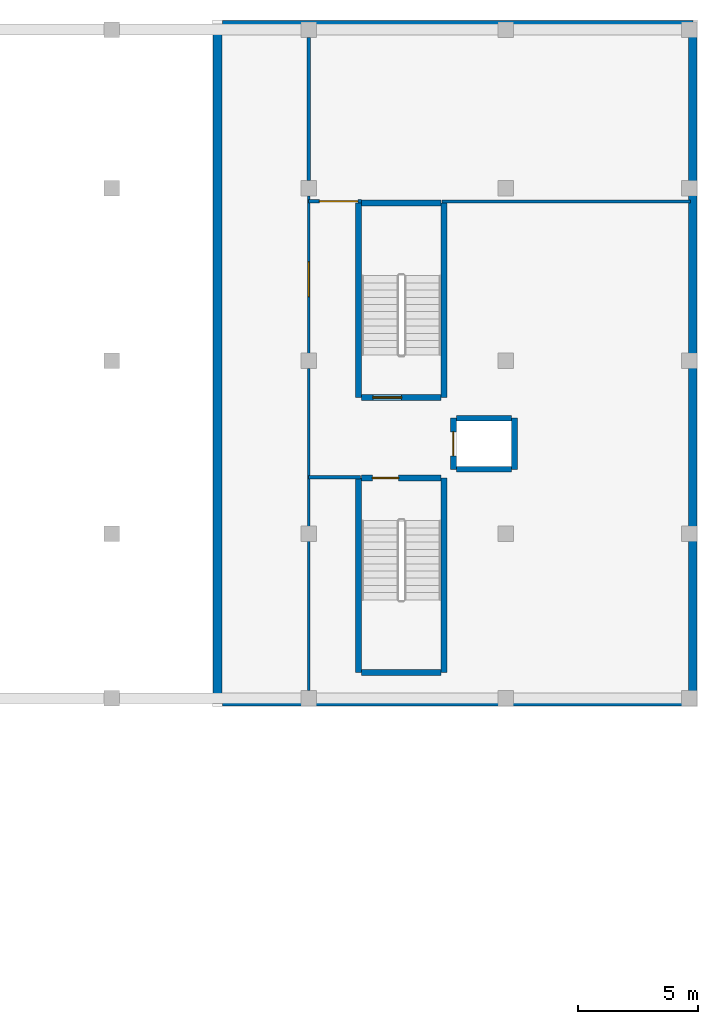
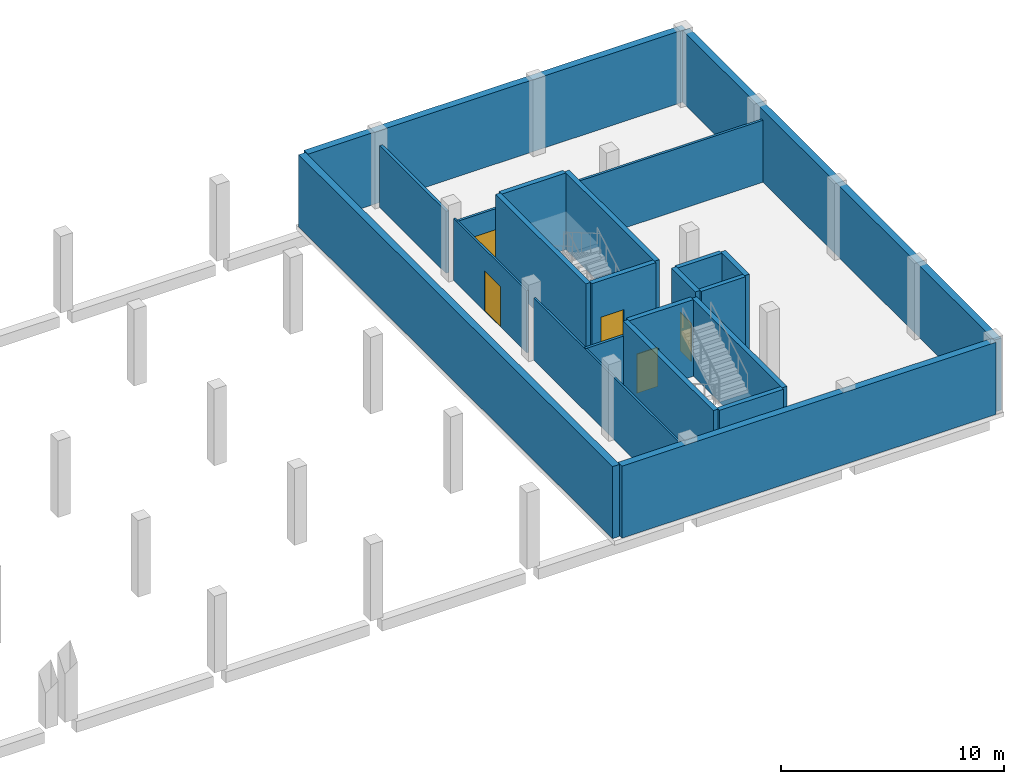
# One storey, part 9 of 15: 22 walls, 5 doors, 5 openings.
"""IFC4 building model written with IfcOpenShell, lengths in metres."""

from ifc_helpers import new_model, si_unit, direction, frame, frame_2d, origin, place, context, subcontext, project, spatial, rectangle, extrude, material, layer, layer_set, type_object, element, fill, save


model = new_model("IFC4")

# Units and contexts
model_context = context("Model", 3, precision=1e-05, world=origin(), true_north=direction((0.0, 1.0)))
body_context = subcontext(model_context, "Body", "Model", "MODEL_VIEW")
ifc_project = project(units=[si_unit("LENGTHUNIT", "METRE"), si_unit("AREAUNIT", "SQUARE_METRE"), si_unit("VOLUMEUNIT", "CUBIC_METRE"), si_unit("PLANEANGLEUNIT", "RADIAN"), si_unit("MASSUNIT", "GRAM", prefix="KILO")], contexts=[model_context])

# Site, building, storey
site_placement = place(None, origin())
site = spatial("IfcSite", under=ifc_project, at=site_placement, CompositionType="ELEMENT")
building_placement = place(site_placement, origin())
building = spatial("IfcBuilding", under=site, at=building_placement, Name="Quillay Park Conservatory", CompositionType="ELEMENT")
storey_placement = place(building_placement, frame((0.0, 0.0, -4.199951171875)))
storey = spatial("IfcBuildingStorey", under=building, at=storey_placement, Name="B1", CompositionType="ELEMENT", Elevation=-4.199951171875)

# Wall, opening, door
ifc_material_1 = material(Name="Steel-Stud Acoustic Gypsum Board Partition", Category="steel")
ifc_layer_1 = layer(ifc_material_1, 0.10009765625)
ifc_layer_set_1 = layer_set([ifc_layer_1], Name="ACOUSTIC GYPSUM PARTITION 100 (Steel-Stud Acoustic Gypsum Board Partition)")
wall_type_1 = type_object("IfcWallType", Name="ACOUSTIC GYPSUM PARTITION 100", PredefinedType="PARTITIONING", material=ifc_layer_set_1)
wall_1_placement = place(storey_placement, frame((148.0, 99.919921875, 0.0), z_axis=(0.0, 0.0, 1.0), x_axis=(0.0, 1.0, 0.0)))
wall_1 = element("IfcWall", 1, at=wall_1_placement, inside=storey, type_object=wall_type_1, Name="B1 Aud Sub West Wall M", PredefinedType="PARTITIONING", context=body_context, shape_type="SweptSolid", body=[
    extrude(rectangle(XDim=6.56005859375, YDim=0.10009765625, at=frame_2d((3.280029296875, 0.0))), origin(), (0.0, 0.0, 1.0), 3.40087890625),
])
opening_1_placement = place(wall_1_placement, frame((2.35498046875, 0.0, 0.0)))
opening_1 = element("IfcOpeningElement", 2, at=opening_1_placement, cuts=wall_1, Name="Opening D-PL01", PredefinedType="OPENING", context=body_context, shape_type="SweptSolid", body=[
    extrude(rectangle(XDim=1.449951171875, YDim=2.199951171875, at=frame_2d((0.72509765625, 1.10009765625))), frame((0.0, 0.050048828125, 0.0), z_axis=(0.0, -1.0, 0.0), x_axis=(1.0, 0.0, 0.0)), (0.0, 0.0, 1.0), 0.10009765625),
])
ifc_material_2 = material(Name="Steel ASTM A572 Grade 50", Category="steel")
door_type_1 = type_object("IfcDoorType", Name="FIRE RATED PLANT DOOR 1450 X2200", OperationType="NOTDEFINED", PredefinedType="DOOR", material=ifc_material_2)
door_1_placement = place(opening_1_placement, origin())
door_1 = element("IfcDoor", 3, at=door_1_placement, inside=storey, type_object=door_type_1, Name="B1 Door to B1 Exhibition Crate and Herbarium Receiving Store", OperationType="SINGLE_SWING_LEFT", OverallHeight=2.199951171875, OverallWidth=1.449951171875, PredefinedType="DOOR", context=body_context, shape_type="SweptSolid", body=[
    extrude(rectangle(XDim=1.449951171875, YDim=2.199951171875, at=frame_2d((0.72509765625, 1.10009765625))), frame((0.0, 0.02490234375, 0.0), z_axis=(0.0, -1.0, 0.0), x_axis=(1.0, 0.0, 0.0)), (0.0, 0.0, 1.0), 0.050048828125),
])
fill(opening_1, door_1)

# Walls
ifc_material_3 = material(Name="Steel-Stud Acoustic Gypsum Board Partition", Category="steel")
ifc_layer_2 = layer(ifc_material_3, 0.10498046875)
ifc_layer_set_2 = layer_set([ifc_layer_2], Name="ACOUSTIC GYPSUM PARTITION 105 (Steel-Stud Acoustic Gypsum Board Partition)")
wall_type_2 = type_object("IfcWallType", Name="ACOUSTIC GYPSUM PARTITION 105", PredefinedType="PARTITIONING", material=ifc_layer_set_2)
wall_2_placement = place(storey_placement, frame((148.0, 85.8701171875, 0.0), z_axis=(0.0, 0.0, 1.0), x_axis=(0.0, 1.0, 0.0)))
element("IfcWall", 4, at=wall_2_placement, inside=storey, type_object=wall_type_2, Name="B1 Aud Sub West Wall S", PredefinedType="PARTITIONING", context=body_context, shape_type="SweptSolid", body=[
    extrude(rectangle(XDim=13.409912109375, YDim=0.10498046875, at=frame_2d((6.705078125, 0.0))), origin(), (0.0, 0.0, 1.0), 3.40087890625),
])
ifc_material_4 = material(Name="Steel-Stud Acoustic Gypsum Board Partition", Category="steel")
ifc_layer_3 = layer(ifc_material_4, 0.125)
ifc_layer_set_3 = layer_set([ifc_layer_3], Name="ACOUSTIC GYPSUM PARTITION 125 (Steel-Stud Acoustic Gypsum Board Partition)")
wall_type_3 = type_object("IfcWallType", Name="ACOUSTIC GYPSUM PARTITION 125", PredefinedType="PARTITIONING", material=ifc_layer_set_3)
wall_3_placement = place(storey_placement, frame((153.550048828125, 106.25, 0.0), z_axis=(0.0, 0.0, 1.0), x_axis=(1.0, 0.0, 0.0)))
element("IfcWall", 5, at=wall_3_placement, inside=storey, type_object=wall_type_3, Name="B1 Aud Sub North Room Wall E", PredefinedType="PARTITIONING", context=body_context, shape_type="SweptSolid", body=[
    extrude(rectangle(XDim=10.349853515625, YDim=0.125, at=frame_2d((5.1748046875, 0.0))), origin(), (0.0, 0.0, 1.0), 3.40087890625),
])

# Wall, opening, door
ifc_material_5 = material(Name="Steel-Stud Acoustic Gypsum Board Partition", Category="steel")
ifc_layer_4 = layer(ifc_material_5, 0.1298828125)
ifc_layer_set_4 = layer_set([ifc_layer_4], Name="ACOUSTIC GYPSUM PARTITION 130 (Steel-Stud Acoustic Gypsum Board Partition)")
wall_type_4 = type_object("IfcWallType", Name="ACOUSTIC GYPSUM PARTITION 130", PredefinedType="PARTITIONING", material=ifc_layer_set_4)
wall_4_placement = place(storey_placement, frame((148.0, 106.25, 0.0), z_axis=(0.0, 0.0, 1.0), x_axis=(1.0, 0.0, 0.0)))
wall_4 = element("IfcWall", 6, at=wall_4_placement, inside=storey, type_object=wall_type_4, Name="B1 Aud Sub North Room Door Wall", PredefinedType="PARTITIONING", context=body_context, shape_type="SweptSolid", body=[
    extrude(rectangle(XDim=2.199951171875, YDim=0.1298828125, at=frame_2d((1.10009765625, 0.0))), origin(), (0.0, 0.0, 1.0), 3.40087890625),
])
opening_2_placement = place(wall_4_placement, frame((0.449951171875, 0.0, 0.0)))
opening_2 = element("IfcOpeningElement", 7, at=opening_2_placement, cuts=wall_4, Name="Opening D-PL02", PredefinedType="OPENING", context=body_context, shape_type="SweptSolid", body=[
    extrude(rectangle(XDim=1.60009765625, YDim=2.25, at=frame_2d((0.800048828125, 1.125))), frame((0.0, 0.06494140625, 0.0), z_axis=(0.0, -1.0, 0.0), x_axis=(1.0, 0.0, 0.0)), (0.0, 0.0, 1.0), 0.1298828125),
])
ifc_material_6 = material(Name="Steel ASTM A572 Grade 50", Category="steel")
door_type_2 = type_object("IfcDoorType", Name="FIRE RATED PLANT DOOR 1600 X2250", OperationType="NOTDEFINED", PredefinedType="DOOR", material=ifc_material_6)
door_2_placement = place(opening_2_placement, origin())
door_2 = element("IfcDoor", 8, at=door_2_placement, inside=storey, type_object=door_type_2, Name="B1 Door to B1 Exhibition Scenography and Model Workshop", OperationType="SINGLE_SWING_RIGHT", OverallHeight=2.25, OverallWidth=1.60009765625, PredefinedType="DOOR", context=body_context, shape_type="SweptSolid", body=[
    extrude(rectangle(XDim=1.60009765625, YDim=2.25, at=frame_2d((0.800048828125, 1.125))), frame((0.0, 0.02490234375, 0.0), z_axis=(0.0, -1.0, 0.0), x_axis=(1.0, 0.0, 0.0)), (0.0, 0.0, 1.0), 0.050048828125),
])
fill(opening_2, door_2)

# Walls
ifc_material_7 = material(Name="Steel-Stud Acoustic Gypsum Board Partition", Category="steel")
ifc_layer_5 = layer(ifc_material_7, 0.139892578125)
ifc_layer_set_5 = layer_set([ifc_layer_5], Name="ACOUSTIC GYPSUM PARTITION 140 (Steel-Stud Acoustic Gypsum Board Partition)")
wall_type_5 = type_object("IfcWallType", Name="ACOUSTIC GYPSUM PARTITION 140", PredefinedType="PARTITIONING", material=ifc_layer_set_5)
wall_5_placement = place(storey_placement, frame((148.0, 94.75, 0.0), z_axis=(0.0, 0.0, 1.0), x_axis=(1.0, 0.0, 0.0)))
element("IfcWall", 9, at=wall_5_placement, inside=storey, type_object=wall_type_5, Name="B1 Aud Sub Corr South Closure", PredefinedType="PARTITIONING", context=body_context, shape_type="SweptSolid", body=[
    extrude(rectangle(XDim=2.14990234375, YDim=0.139892578125, at=frame_2d((1.074951171875, 0.0))), origin(), (0.0, 0.0, 1.0), 3.40087890625),
])
ifc_material_8 = material(Name="Steel-Stud Acoustic Gypsum Board Partition", Category="steel")
ifc_layer_6 = layer(ifc_material_8, 0.14990234375)
ifc_layer_set_6 = layer_set([ifc_layer_6], Name="ACOUSTIC GYPSUM PARTITION 150 (Steel-Stud Acoustic Gypsum Board Partition)")
wall_type_6 = type_object("IfcWallType", Name="ACOUSTIC GYPSUM PARTITION 150", PredefinedType="PARTITIONING", material=ifc_layer_set_6)
wall_6_placement = place(storey_placement, frame((148.0, 107.1201171875, 0.0), z_axis=(0.0, 0.0, 1.0), x_axis=(0.0, 1.0, 0.0)))
element("IfcWall", 10, at=wall_6_placement, inside=storey, type_object=wall_type_6, Name="B1 Aud Sub West Wall N", PredefinedType="PARTITIONING", context=body_context, shape_type="SweptSolid", body=[
    extrude(rectangle(XDim=5.9599609375, YDim=0.14990234375, at=frame_2d((2.97998046875, 0.0))), origin(), (0.0, 0.0, 1.0), 3.40087890625),
])
ifc_material_9 = material(Name="Concrete C35/45 (NCh170 Concrete C35/45)", Category="concrete")
ifc_layer_7 = layer(ifc_material_9, 0.22509765625)
ifc_layer_set_7 = layer_set([ifc_layer_7], Name="CORE SHEAR WALL 225 (Concrete C35/45 (NCh170 Concrete C35/45))")
wall_type_7 = type_object("IfcWallType", Name="CORE SHEAR WALL 225", PredefinedType="SHEAR", material=ifc_layer_set_7)
for number, where, z_axis, x_axis, name in (
    (11, (154.14990234375, 95.08740234375, 0.0), (0.0, 0.0, 1.0), (1.0, 0.0, 0.0), "B1 Core Shear Wall WL-LFA1S-B1"),
    (12, (154.14990234375, 97.21240234375, 0.0), (0.0, 0.0, 1.0), (1.0, 0.0, 0.0), "B1 Core Shear Wall WL-LFA1N-B1"),
):
    element("IfcWall", number, at=place(storey_placement, frame(where, z_axis=z_axis, x_axis=x_axis)), inside=storey, type_object=wall_type_7, Name=name, PredefinedType="SHEAR", context=body_context, shape_type="SweptSolid", body=[
        extrude(rectangle(XDim=2.300048828125, YDim=0.22509765625, at=frame_2d((1.14990234375, 0.0))), origin(), (0.0, 0.0, 1.0), 4.199951171875),
    ])
ifc_material_10 = material(Name="Concrete C40/50 (NCh170 Concrete C40/50)", Category="concrete")
ifc_layer_8 = layer(ifc_material_10, 0.25)
ifc_layer_set_8 = layer_set([ifc_layer_8], Name="CORE SHEAR WALL 250 (Concrete C40/50 (NCh170 Concrete C40/50))")
wall_type_8 = type_object("IfcWallType", Name="CORE SHEAR WALL 250", PredefinedType="SHEAR", material=ifc_layer_set_8)
for number, where, z_axis, x_axis, name in (
    (13, (150.074951171875, 86.625, 0.0), (0.0, 0.0, 1.0), (0.0, 1.0, 0.0), "B1 Core Shear Wall WL-A1W-B1"),
    (14, (153.64501953125, 86.625, 0.0), (0.0, 0.0, 1.0), (0.0, 1.0, 0.0), "B1 Core Shear Wall WL-A1E-B1"),
):
    element("IfcWall", number, at=place(storey_placement, frame(where, z_axis=z_axis, x_axis=x_axis)), inside=storey, type_object=wall_type_8, Name=name, PredefinedType="SHEAR", context=body_context, shape_type="SweptSolid", body=[
        extrude(rectangle(XDim=8.10009765625, YDim=0.25, at=frame_2d((4.050048828125, 0.0))), origin(), (0.0, 0.0, 1.0), 4.199951171875),
    ])
wall_7_placement = place(storey_placement, frame((150.199951171875, 86.625, 0.0), z_axis=(0.0, 0.0, 1.0), x_axis=(1.0, 0.0, 0.0)))
element("IfcWall", 15, at=wall_7_placement, inside=storey, type_object=wall_type_8, Name="B1 Core Shear Wall WL-A1S-B1", PredefinedType="SHEAR", context=body_context, shape_type="SweptSolid", body=[
    extrude(rectangle(XDim=3.320068359375, YDim=0.25, at=frame_2d((1.66015625, 0.0))), origin(), (0.0, 0.0, 1.0), 4.199951171875),
])

# Wall, opening, door
wall_8_placement = place(storey_placement, frame((150.199951171875, 94.72509765625, 0.0), z_axis=(0.0, 0.0, 1.0), x_axis=(1.0, 0.0, 0.0)))
wall_8 = element("IfcWall", 16, at=wall_8_placement, inside=storey, type_object=wall_type_8, Name="B1 Core Shear Wall WL-A1D-B1", PredefinedType="SHEAR", context=body_context, shape_type="SweptSolid", body=[
    extrude(rectangle(XDim=3.320068359375, YDim=0.25, at=frame_2d((1.66015625, 0.0))), origin(), (0.0, 0.0, 1.0), 4.199951171875),
])
opening_3_placement = place(wall_8_placement, frame((0.449951171875, 0.0, 0.0)))
opening_3 = element("IfcOpeningElement", 17, at=opening_3_placement, cuts=wall_8, Name="Opening D-ST01", PredefinedType="OPENING", context=body_context, shape_type="SweptSolid", body=[
    extrude(rectangle(XDim=1.10009765625, YDim=2.14990234375, at=frame_2d((0.550048828125, 1.074951171875))), frame((0.0, 0.125, 0.0), z_axis=(0.0, -1.0, 0.0), x_axis=(1.0, 0.0, 0.0)), (0.0, 0.0, 1.0), 0.25),
])
ifc_material_11 = material(Name="Steel ASTM A572 Grade 50", Category="steel")
door_type_3 = type_object("IfcDoorType", Name="FIRE RATED STAIR DOOR 1100 X2150", OperationType="NOTDEFINED", PredefinedType="DOOR", material=ifc_material_11)
door_3_placement = place(opening_3_placement, origin())
door_3 = element("IfcDoor", 18, at=door_3_placement, inside=storey, type_object=door_type_3, Name="B1 Auditorium Stair ST-A1 Door", OperationType="SINGLE_SWING_LEFT", OverallHeight=2.14990234375, OverallWidth=1.10009765625, PredefinedType="DOOR", context=body_context, shape_type="SweptSolid", body=[
    extrude(rectangle(XDim=1.10009765625, YDim=2.14990234375, at=frame_2d((0.550048828125, 1.074951171875))), frame((0.0, 0.02490234375, 0.0), z_axis=(0.0, -1.0, 0.0), x_axis=(1.0, 0.0, 0.0)), (0.0, 0.0, 1.0), 0.050048828125),
])
fill(opening_3, door_3)

# Walls
for number, where, z_axis, x_axis, name in (
    (19, (150.074951171875, 98.074951171875, 0.0), (0.0, 0.0, 1.0), (0.0, 1.0, 0.0), "B1 Core Shear Wall WL-A2W-B1"),
    (20, (153.64501953125, 98.074951171875, 0.0), (0.0, 0.0, 1.0), (0.0, 1.0, 0.0), "B1 Core Shear Wall WL-A2E-B1"),
):
    element("IfcWall", number, at=place(storey_placement, frame(where, z_axis=z_axis, x_axis=x_axis)), inside=storey, type_object=wall_type_8, Name=name, PredefinedType="SHEAR", context=body_context, shape_type="SweptSolid", body=[
        extrude(rectangle(XDim=8.10009765625, YDim=0.25, at=frame_2d((4.050048828125, 0.0))), origin(), (0.0, 0.0, 1.0), 4.199951171875),
    ])
wall_9_placement = place(storey_placement, frame((150.199951171875, 106.175048828125, 0.0), z_axis=(0.0, 0.0, 1.0), x_axis=(1.0, 0.0, 0.0)))
element("IfcWall", 21, at=wall_9_placement, inside=storey, type_object=wall_type_8, Name="B1 Core Shear Wall WL-A2N-B1", PredefinedType="SHEAR", context=body_context, shape_type="SweptSolid", body=[
    extrude(rectangle(XDim=3.320068359375, YDim=0.25, at=frame_2d((1.66015625, 0.0))), origin(), (0.0, 0.0, 1.0), 4.199951171875),
])

# Wall, opening, door
wall_10_placement = place(storey_placement, frame((153.52001953125, 98.074951171875, 0.0), z_axis=(0.0, 0.0, 1.0), x_axis=(-1.0, 0.0, 0.0)))
wall_10 = element("IfcWall", 22, at=wall_10_placement, inside=storey, type_object=wall_type_8, Name="B1 Core Shear Wall WL-A2D-B1", PredefinedType="SHEAR", context=body_context, shape_type="SweptSolid", body=[
    extrude(rectangle(XDim=3.320068359375, YDim=0.25, at=frame_2d((1.66015625, 0.0))), origin(), (0.0, 0.0, 1.0), 4.199951171875),
])
opening_4_placement = place(wall_10_placement, frame((1.64990234375, 0.0, 0.0)))
opening_4 = element("IfcOpeningElement", 23, at=opening_4_placement, cuts=wall_10, Name="Opening D-ST03", PredefinedType="OPENING", context=body_context, shape_type="SweptSolid", body=[
    extrude(rectangle(XDim=1.199951171875, YDim=2.199951171875, at=frame_2d((0.60009765625, 1.10009765625))), frame((0.0, 0.125, 0.0), z_axis=(0.0, -1.0, 0.0), x_axis=(1.0, 0.0, 0.0)), (0.0, 0.0, 1.0), 0.25),
])
ifc_material_12 = material(Name="Steel ASTM A572 Grade 50", Category="steel")
door_type_4 = type_object("IfcDoorType", Name="FIRE RATED STAIR DOOR 1200 X2200", OperationType="NOTDEFINED", PredefinedType="DOOR", material=ifc_material_12)
door_4_placement = place(opening_4_placement, origin())
door_4 = element("IfcDoor", 24, at=door_4_placement, inside=storey, type_object=door_type_4, Name="B1 Auditorium Stair ST-A2 Door", OperationType="SINGLE_SWING_RIGHT", OverallHeight=2.199951171875, OverallWidth=1.199951171875, PredefinedType="DOOR", context=body_context, shape_type="SweptSolid", body=[
    extrude(rectangle(XDim=1.199951171875, YDim=2.199951171875, at=frame_2d((0.60009765625, 1.10009765625))), frame((0.0, 0.02490234375, 0.0), z_axis=(0.0, -1.0, 0.0), x_axis=(1.0, 0.0, 0.0)), (0.0, 0.0, 1.0), 0.050048828125),
])
fill(opening_4, door_4)

# Wall
wall_11_placement = place(storey_placement, frame((156.574951171875, 95.074951171875, 0.0), z_axis=(0.0, 0.0, 1.0), x_axis=(0.0, 1.0, 0.0)))
element("IfcWall", 25, at=wall_11_placement, inside=storey, type_object=wall_type_8, Name="B1 Core Shear Wall WL-LFA1B-B1", PredefinedType="SHEAR", context=body_context, shape_type="SweptSolid", body=[
    extrude(rectangle(XDim=2.150146484375, YDim=0.25, at=frame_2d((1.0751953125, 0.0))), origin(), (0.0, 0.0, 1.0), 4.199951171875),
])

# Wall, opening, door
wall_12_placement = place(storey_placement, frame((154.02490234375, 95.074951171875, 0.0), z_axis=(0.0, 0.0, 1.0), x_axis=(0.0, 1.0, 0.0)))
wall_12 = element("IfcWall", 26, at=wall_12_placement, inside=storey, type_object=wall_type_8, Name="B1 Core Shear Wall WL-LFA1F-B1", PredefinedType="SHEAR", context=body_context, shape_type="SweptSolid", body=[
    extrude(rectangle(XDim=2.150146484375, YDim=0.25, at=frame_2d((1.0751953125, 0.0))), origin(), (0.0, 0.0, 1.0), 4.199951171875),
])
opening_5_placement = place(wall_12_placement, frame((0.574951171875, 0.0, 0.0)))
opening_5 = element("IfcOpeningElement", 27, at=opening_5_placement, cuts=wall_12, Name="Opening LD04", PredefinedType="OPENING", context=body_context, shape_type="SweptSolid", body=[
    extrude(rectangle(XDim=1.0, YDim=2.10009765625, at=frame_2d((0.5, 1.050048828125))), frame((0.0, 0.125, 0.0), z_axis=(0.0, -1.0, 0.0), x_axis=(1.0, 0.0, 0.0)), (0.0, 0.0, 1.0), 0.25),
])
ifc_material_13 = material(Name="Steel ASTM A572 Grade 50", Category="steel")
door_type_5 = type_object("IfcDoorType", Name="LIFT LANDING SLIDING DOOR 1000 X2100", OperationType="NOTDEFINED", PredefinedType="DOOR", material=ifc_material_13)
door_5_placement = place(opening_5_placement, origin())
door_5 = element("IfcDoor", 28, at=door_5_placement, inside=storey, type_object=door_type_5, Name="B1 LF-A1 Lift Landing Door LD04", OperationType="SLIDING_TO_LEFT", OverallHeight=2.10009765625, OverallWidth=1.0, PredefinedType="DOOR", context=body_context, shape_type="SweptSolid", body=[
    extrude(rectangle(XDim=1.0, YDim=2.10009765625, at=frame_2d((0.5, 1.050048828125))), frame((0.0, 0.02490234375, 0.0), z_axis=(0.0, -1.0, 0.0), x_axis=(1.0, 0.0, 0.0)), (0.0, 0.0, 1.0), 0.050048828125),
])
fill(opening_5, door_5)

# Walls
ifc_material_14 = material(Name="Concrete C35/45 (NCh170 Concrete C35/45)", Category="concrete")
ifc_layer_9 = layer(ifc_material_14, 0.360107421875)
ifc_layer_set_9 = layer_set([ifc_layer_9], Name="RETAINING WALL 360 (Concrete C35/45 (NCh170 Concrete C35/45))")
wall_type_9 = type_object("IfcWallType", Name="RETAINING WALL 360", PredefinedType="USERDEFINED", material=ifc_layer_set_9)
wall_13_placement = place(storey_placement, frame((144.199951171875, 85.39990234375, 0.0), z_axis=(0.0, 0.0, 1.0), x_axis=(0.0, 1.0, 0.0)))
element("IfcWall", 29, at=wall_13_placement, inside=storey, type_object=wall_type_9, Name="B1 Perimeter Retaining Wall 09", ObjectType="RETAINING WALL", PredefinedType="USERDEFINED", context=body_context, shape_type="SweptSolid", body=[
    extrude(rectangle(XDim=28.2001953125, YDim=0.360107421875, at=frame_2d((14.10009765625, 0.0))), origin(), (0.0, 0.0, 1.0), 3.949951171875),
])
wall_14_placement = place(storey_placement, frame((144.39990234375, 113.60009765625, 0.0), z_axis=(0.0, 0.0, 1.0), x_axis=(1.0, 0.0, 0.0)))
element("IfcWall", 30, at=wall_14_placement, inside=storey, type_object=wall_type_9, Name="B1 Perimeter Retaining Wall 10", ObjectType="RETAINING WALL", PredefinedType="USERDEFINED", context=body_context, shape_type="SweptSolid", body=[
    extrude(rectangle(XDim=19.60009765625, YDim=0.360107421875, at=frame_2d((9.800048828125, 0.0))), origin(), (0.0, 0.0, 1.0), 3.949951171875),
])
wall_15_placement = place(storey_placement, frame((164.0, 113.39990234375, 0.0), z_axis=(0.0, 0.0, 1.0), x_axis=(0.0, -1.0, 0.0)))
element("IfcWall", 31, at=wall_15_placement, inside=storey, type_object=wall_type_9, Name="B1 Perimeter Retaining Wall 11", ObjectType="RETAINING WALL", PredefinedType="USERDEFINED", context=body_context, shape_type="SweptSolid", body=[
    extrude(rectangle(XDim=28.0, YDim=0.360107421875, at=frame_2d((14.0, 0.0))), origin(), (0.0, 0.0, 1.0), 3.949951171875),
])
wall_16_placement = place(storey_placement, frame((163.800048828125, 85.39990234375, 0.0), z_axis=(0.0, 0.0, 1.0), x_axis=(-1.0, 0.0, 0.0)))
element("IfcWall", 32, at=wall_16_placement, inside=storey, type_object=wall_type_9, Name="B1 Perimeter Retaining Wall 12", ObjectType="RETAINING WALL", PredefinedType="USERDEFINED", context=body_context, shape_type="SweptSolid", body=[
    extrude(rectangle(XDim=19.400146484375, YDim=0.360107421875, at=frame_2d((9.7001953125, 0.0))), origin(), (0.0, 0.0, 1.0), 3.949951171875),
])

save(model, "model.ifc")
